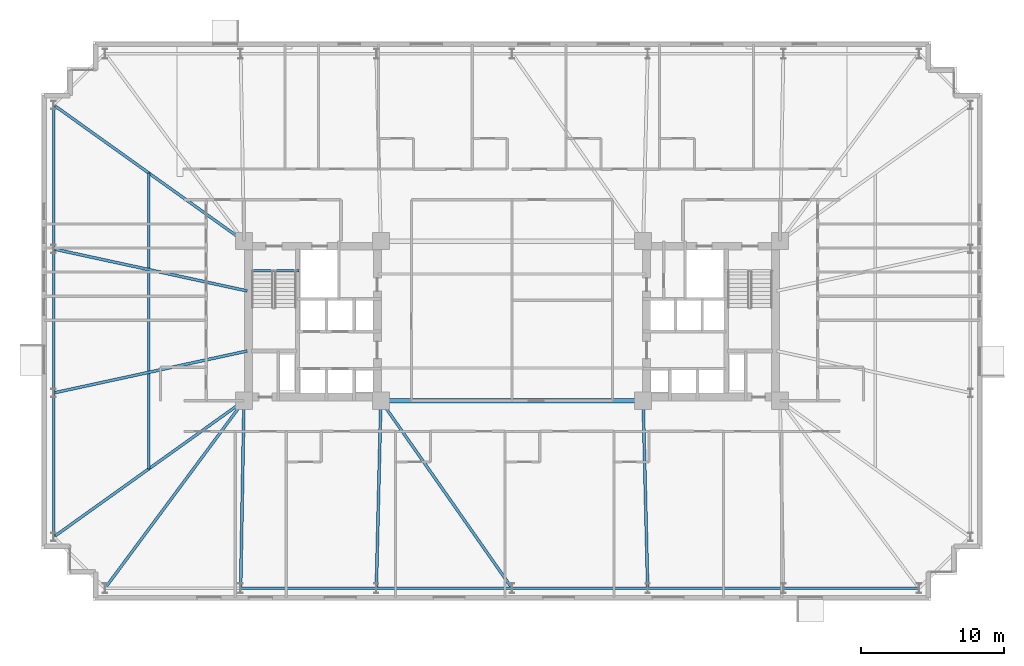
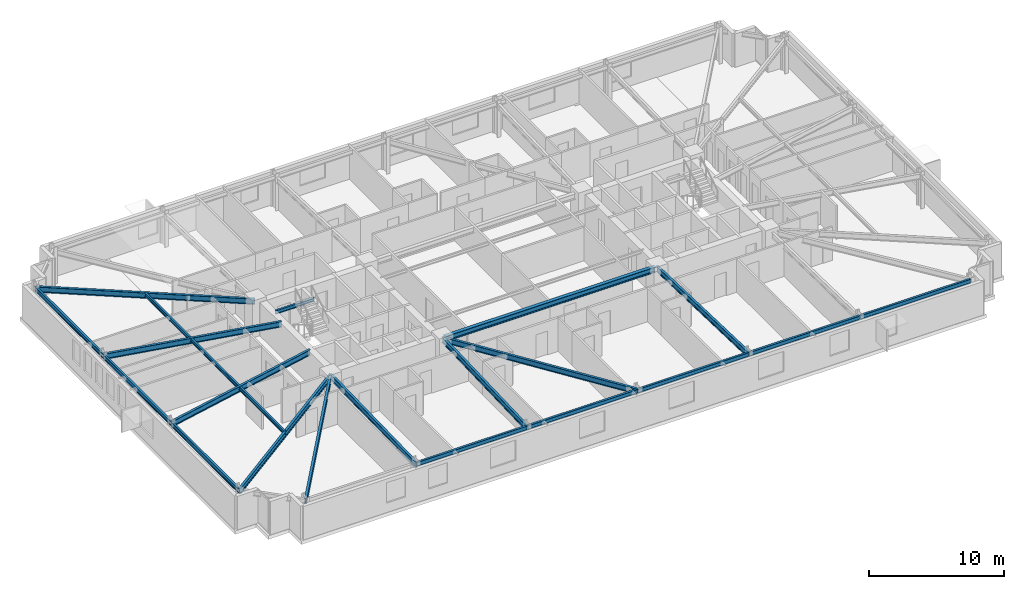
# One storey, part 5 of 22: 20 beams.
"""IFC4 building model written with IfcOpenShell, lengths in metres."""

from ifc_helpers import new_model, si_unit, direction, frame, origin, origin_2d, place, context, subcontext, project, spatial, i_section, extrude, material, material_profile, profile_set, type_object, element, save


model = new_model("IFC4")

# Units and contexts
model_context = context("Model", 3, precision=1e-05, world=origin(), true_north=direction((0.0, 1.0)))
body_context = subcontext(model_context, "Body", "Model", "MODEL_VIEW")
ifc_project = project(units=[si_unit("LENGTHUNIT", "METRE"), si_unit("AREAUNIT", "SQUARE_METRE"), si_unit("VOLUMEUNIT", "CUBIC_METRE"), si_unit("PLANEANGLEUNIT", "RADIAN"), si_unit("MASSUNIT", "GRAM", prefix="KILO")], contexts=[model_context])

# Site, building, storey
site_placement = place(None, origin())
site = spatial("IfcSite", under=ifc_project, at=site_placement, CompositionType="ELEMENT")
building_placement = place(site_placement, origin())
building = spatial("IfcBuilding", under=site, at=building_placement, Name="Qobustan Lattice House", CompositionType="ELEMENT")
storey_placement = place(building_placement, frame((0.0, 0.0, 33.699951171875)))
storey = spatial("IfcBuildingStorey", under=building, at=storey_placement, Name="L08", CompositionType="ELEMENT", Elevation=33.699951171875)

# Beams
ifc_material_1 = material(Name="Steel S355", Category="steel")
ifc_material_profile_1 = material_profile(ifc_material_1, i_section(OverallWidth=0.300048828125, OverallDepth=0.5, WebThickness=0.014404296875, FlangeThickness=0.028076171875, FilletRadius=0.027099609375, at=origin_2d()), Name="HEB500")
ifc_profile_set_1 = profile_set([ifc_material_profile_1], Name="Steel S355")
beam_type_1 = type_object("IfcBeamType", Name="BM-CG-HEB500", PredefinedType="USERDEFINED", material=ifc_profile_set_1)
beam_1_placement = place(storey_placement, frame((-9.050048828125, -5.60009765625, 2.78515625), z_axis=(1.0, 0.0, 0.0), x_axis=(0.0, 1.0, 0.0)))
element("IfcBeam", 1, at=beam_1_placement, inside=storey, type_object=beam_type_1, Name="L08 core spine girder CG-CS", ObjectType="GIRDER", PredefinedType="USERDEFINED", context=body_context, shape_type="SweptSolid", body=[
    extrude(i_section(OverallWidth=0.300048828125, OverallDepth=0.5, WebThickness=0.014404296875, FlangeThickness=0.028076171875, FilletRadius=0.027099609375, at=origin_2d()), origin(), (0.0, 0.0, 1.0), 18.10009765625),
])
ifc_material_2 = material(Name="Steel S355", Category="steel")
ifc_material_profile_2 = material_profile(ifc_material_2, i_section(OverallWidth=0.199951171875, OverallDepth=0.5, WebThickness=0.01025390625, FlangeThickness=0.01611328125, FilletRadius=0.02099609375, at=origin_2d()), Name="IPE500")
ifc_profile_set_2 = profile_set([ifc_material_profile_2], Name="Steel S355")
beam_type_2 = type_object("IfcBeamType", Name="BM-FLG-IPE500", PredefinedType="USERDEFINED", material=ifc_profile_set_2)
beam_2_placement = place(storey_placement, frame((-28.53515625, -18.72998046875, 2.78515625), z_axis=(0.5955916815, 0.803287338956, 0.0), x_axis=(-0.803287338956, 0.5955916815, 0.0)))
element("IfcBeam", 2, at=beam_2_placement, inside=storey, type_object=beam_type_2, Name="L08 primary floor girder RAD-S1W", ObjectType="GIRDER", PredefinedType="USERDEFINED", context=body_context, shape_type="SweptSolid", body=[
    extrude(i_section(OverallWidth=0.199951171875, OverallDepth=0.5, WebThickness=0.01025390625, FlangeThickness=0.01611328125, FilletRadius=0.02099609375, at=origin_2d()), origin(), (0.0, 0.0, 1.0), 16.3203125),
])
beam_3_placement = place(storey_placement, frame((-19.032958984375, -18.72509765625, 2.78515625), z_axis=(0.017757831607, 0.999842317276, 0.0), x_axis=(-0.999842317276, 0.017757831607, 0.0)))
element("IfcBeam", 3, at=beam_3_placement, inside=storey, type_object=beam_type_2, Name="L08 primary floor girder RAD-S2", ObjectType="GIRDER", PredefinedType="USERDEFINED", context=body_context, shape_type="SweptSolid", body=[
    extrude(i_section(OverallWidth=0.199951171875, OverallDepth=0.5, WebThickness=0.01025390625, FlangeThickness=0.01611328125, FilletRadius=0.02099609375, at=origin_2d()), origin(), (0.0, 0.0, 1.0), 13.10205078125),
])
beam_4_placement = place(storey_placement, frame((-9.51611328125, -18.72509765625, 2.78515625), z_axis=(0.024071445657, 0.999710240772, 0.0), x_axis=(-0.999710240772, 0.024071445657, 0.0)))
element("IfcBeam", 4, at=beam_4_placement, inside=storey, type_object=beam_type_2, Name="L08 primary floor girder RAD-S3", ObjectType="GIRDER", PredefinedType="USERDEFINED", context=body_context, shape_type="SweptSolid", body=[
    extrude(i_section(OverallWidth=0.199951171875, OverallDepth=0.5, WebThickness=0.01025390625, FlangeThickness=0.01611328125, FilletRadius=0.02099609375, at=origin_2d()), origin(), (0.0, 0.0, 1.0), 13.10400390625),
])
beam_5_placement = place(storey_placement, frame((-0.014404296875, -18.7294921875, 2.78515625), z_axis=(-0.57325954206, 0.819373844736, 0.0), x_axis=(-0.819373844736, -0.57325954206, 0.0)))
element("IfcBeam", 5, at=beam_5_placement, inside=storey, type_object=beam_type_2, Name="L08 primary floor girder RAD-S4", ObjectType="GIRDER", PredefinedType="USERDEFINED", context=body_context, shape_type="SweptSolid", body=[
    extrude(i_section(OverallWidth=0.199951171875, OverallDepth=0.5, WebThickness=0.01025390625, FlangeThickness=0.01611328125, FilletRadius=0.02099609375, at=origin_2d()), origin(), (0.0, 0.0, 1.0), 15.998779296875),
])
beam_6_placement = place(storey_placement, frame((9.51611328125, -18.72509765625, 2.78515625), z_axis=(-0.024071445657, 0.999710240772, 0.0), x_axis=(-0.999710240772, -0.024071445657, 0.0)))
element("IfcBeam", 6, at=beam_6_placement, inside=storey, type_object=beam_type_2, Name="L08 primary floor girder RAD-S5", ObjectType="GIRDER", PredefinedType="USERDEFINED", context=body_context, shape_type="SweptSolid", body=[
    extrude(i_section(OverallWidth=0.199951171875, OverallDepth=0.5, WebThickness=0.01025390625, FlangeThickness=0.01611328125, FilletRadius=0.02099609375, at=origin_2d()), origin(), (0.0, 0.0, 1.0), 13.10400390625),
])
beam_7_placement = place(storey_placement, frame((-32.129638671875, 15.135498046875, 2.78515625), z_axis=(0.813318954893, -0.581818079481, 0.0), x_axis=(0.581818079481, 0.813318954893, 0.0)))
element("IfcBeam", 7, at=beam_7_placement, inside=storey, type_object=beam_type_2, Name="L08 primary floor girder RAD-W1", ObjectType="GIRDER", PredefinedType="USERDEFINED", context=body_context, shape_type="SweptSolid", body=[
    extrude(i_section(OverallWidth=0.199951171875, OverallDepth=0.5, WebThickness=0.01025390625, FlangeThickness=0.01611328125, FilletRadius=0.02099609375, at=origin_2d()), origin(), (0.0, 0.0, 1.0), 16.3642578125),
])
for number, where, z_axis, x_axis, name in (
    (8, (-32.12548828125, 5.044677734375, 2.78515625), (0.97727240275, -0.211987383643, 0.0), (0.211987383643, 0.97727240275, 0.0), "L08 primary floor girder RAD-W2"),
    (9, (-32.12548828125, -5.044677734375, 2.78515625), (0.97727240275, 0.211987383643, 0.0), (-0.211987383643, 0.97727240275, 0.0), "L08 primary floor girder RAD-W3"),
):
    element("IfcBeam", number, at=place(storey_placement, frame(where, z_axis=z_axis, x_axis=x_axis)), inside=storey, type_object=beam_type_2, Name=name, ObjectType="GIRDER", PredefinedType="USERDEFINED", context=body_context, shape_type="SweptSolid", body=[
        extrude(i_section(OverallWidth=0.199951171875, OverallDepth=0.5, WebThickness=0.01025390625, FlangeThickness=0.01611328125, FilletRadius=0.02099609375, at=origin_2d()), origin(), (0.0, 0.0, 1.0), 13.8662109375),
    ])
beam_8_placement = place(storey_placement, frame((-32.129638671875, -15.135498046875, 2.78515625), z_axis=(0.813318954893, 0.581818079481, 0.0), x_axis=(-0.581818079481, 0.813318954893, 0.0)))
element("IfcBeam", 10, at=beam_8_placement, inside=storey, type_object=beam_type_2, Name="L08 primary floor girder RAD-W4", ObjectType="GIRDER", PredefinedType="USERDEFINED", context=body_context, shape_type="SweptSolid", body=[
    extrude(i_section(OverallWidth=0.199951171875, OverallDepth=0.5, WebThickness=0.01025390625, FlangeThickness=0.01611328125, FilletRadius=0.02099609375, at=origin_2d()), origin(), (0.0, 0.0, 1.0), 16.3642578125),
])
ifc_material_3 = material(Name="Steel S355", Category="steel")
ifc_material_profile_3 = material_profile(ifc_material_3, i_section(OverallWidth=0.159912109375, OverallDepth=0.330078125, WebThickness=0.007568359375, FlangeThickness=0.011474609375, FilletRadius=0.01806640625, at=origin_2d()), Name="IPE330")
ifc_profile_set_3 = profile_set([ifc_material_profile_3], Name="Steel S355")
beam_type_3 = type_object("IfcBeamType", Name="BM-SEC-IPE330", PredefinedType="BEAM", material=ifc_profile_set_3)
beam_9_placement = place(storey_placement, frame((-25.47509765625, 10.375, 2.8701171875), z_axis=(0.0, -1.0, 0.0), x_axis=(1.0, 0.0, 0.0)))
element("IfcBeam", 11, at=beam_9_placement, inside=storey, type_object=beam_type_3, Name="L08 west wing secondary beam", PredefinedType="BEAM", context=body_context, shape_type="SweptSolid", body=[
    extrude(i_section(OverallWidth=0.159912109375, OverallDepth=0.330078125, WebThickness=0.007568359375, FlangeThickness=0.011474609375, FilletRadius=0.01806640625, at=origin_2d()), origin(), (0.0, 0.0, 1.0), 20.75),
])
ifc_material_4 = material(Name="Steel S355", Category="steel")
ifc_material_profile_4 = material_profile(ifc_material_4, i_section(OverallWidth=0.159912109375, OverallDepth=0.330078125, WebThickness=0.007568359375, FlangeThickness=0.011474609375, FilletRadius=0.01806640625, at=origin_2d()), Name="IPE330")
ifc_profile_set_4 = profile_set([ifc_material_profile_4], Name="Steel S355")
beam_type_4 = type_object("IfcBeamType", Name="BM-SPD-IPE330", PredefinedType="SPANDREL", material=ifc_profile_set_4)
beam_10_placement = place(storey_placement, frame((-18.300048828125, 3.52001953125, 2.8701171875), z_axis=(1.0, 0.0, 0.0), x_axis=(0.0, 1.0, 0.0)))
element("IfcBeam", 12, at=beam_10_placement, inside=storey, type_object=beam_type_4, Name="L08 west stair landing trimmer beam", PredefinedType="SPANDREL", context=body_context, shape_type="SweptSolid", body=[
    extrude(i_section(OverallWidth=0.159912109375, OverallDepth=0.330078125, WebThickness=0.007568359375, FlangeThickness=0.011474609375, FilletRadius=0.01806640625, at=origin_2d()), origin(), (0.0, 0.0, 1.0), 3.35009765625),
])
ifc_material_5 = material(Name="Steel S355", Category="steel")
ifc_material_profile_5 = material_profile(ifc_material_5, i_section(OverallWidth=0.179931640625, OverallDepth=0.39990234375, WebThickness=0.008544921875, FlangeThickness=0.013427734375, FilletRadius=0.02099609375, at=origin_2d()), Name="IPE400")
ifc_profile_set_5 = profile_set([ifc_material_profile_5], Name="Steel S355")
beam_type_5 = type_object("IfcBeamType", Name="BM-SPD-IPE400", PredefinedType="SPANDREL", material=ifc_profile_set_5)
beam_11_placement = place(storey_placement, frame((-19.00830078125, -18.75, 2.8349609375), z_axis=(1.0, 0.0, 0.0), x_axis=(0.0, 1.0, 0.0)))
element("IfcBeam", 13, at=beam_11_placement, inside=storey, type_object=beam_type_5, Name="L08 perimeter spandrel S2-S3", PredefinedType="SPANDREL", context=body_context, shape_type="SweptSolid", body=[
    extrude(i_section(OverallWidth=0.179931640625, OverallDepth=0.39990234375, WebThickness=0.008544921875, FlangeThickness=0.013427734375, FilletRadius=0.02099609375, at=origin_2d()), origin(), (0.0, 0.0, 1.0), 9.466552734375),
])
for number, where, z_axis, x_axis, name in (
    (14, (-9.49169921875, -18.75, 2.8349609375), (1.0, 0.0, 0.0), (0.0, 1.0, 0.0), "L08 perimeter spandrel S3-S4"),
    (15, (0.02490234375, -18.75, 2.8349609375), (1.0, 0.0, 0.0), (0.0, 1.0, 0.0), "L08 perimeter spandrel S4-S5"),
):
    element("IfcBeam", number, at=place(storey_placement, frame(where, z_axis=z_axis, x_axis=x_axis)), inside=storey, type_object=beam_type_5, Name=name, PredefinedType="SPANDREL", context=body_context, shape_type="SweptSolid", body=[
        extrude(i_section(OverallWidth=0.179931640625, OverallDepth=0.39990234375, WebThickness=0.008544921875, FlangeThickness=0.013427734375, FilletRadius=0.02099609375, at=origin_2d()), origin(), (0.0, 0.0, 1.0), 9.466796875),
    ])
for number, where, z_axis, x_axis, name in (
    (16, (9.541748046875, -18.75, 2.8349609375), (1.0, 0.0, 0.0), (0.0, 1.0, 0.0), "L08 perimeter spandrel S5-S6"),
    (17, (19.058349609375, -18.75, 2.8349609375), (1.0, 0.0, 0.0), (0.0, 1.0, 0.0), "L08 perimeter spandrel S6-S7"),
):
    element("IfcBeam", number, at=place(storey_placement, frame(where, z_axis=z_axis, x_axis=x_axis)), inside=storey, type_object=beam_type_5, Name=name, PredefinedType="SPANDREL", context=body_context, shape_type="SweptSolid", body=[
        extrude(i_section(OverallWidth=0.179931640625, OverallDepth=0.39990234375, WebThickness=0.008544921875, FlangeThickness=0.013427734375, FilletRadius=0.02099609375, at=origin_2d()), origin(), (0.0, 0.0, 1.0), 9.466552734375),
    ])
beam_12_placement = place(storey_placement, frame((-32.14990234375, 15.125, 2.8349609375), z_axis=(0.0, -1.0, 0.0), x_axis=(1.0, 0.0, 0.0)))
element("IfcBeam", 18, at=beam_12_placement, inside=storey, type_object=beam_type_5, Name="L08 perimeter spandrel W1-W2", PredefinedType="SPANDREL", context=body_context, shape_type="SweptSolid", body=[
    extrude(i_section(OverallWidth=0.179931640625, OverallDepth=0.39990234375, WebThickness=0.008544921875, FlangeThickness=0.013427734375, FilletRadius=0.02099609375, at=origin_2d()), origin(), (0.0, 0.0, 1.0), 10.050048828125),
])
beam_13_placement = place(storey_placement, frame((-32.14990234375, 5.02490234375, 2.8349609375), z_axis=(0.0, -1.0, 0.0), x_axis=(1.0, 0.0, 0.0)))
element("IfcBeam", 19, at=beam_13_placement, inside=storey, type_object=beam_type_5, Name="L08 perimeter spandrel W2-W3", PredefinedType="SPANDREL", context=body_context, shape_type="SweptSolid", body=[
    extrude(i_section(OverallWidth=0.179931640625, OverallDepth=0.39990234375, WebThickness=0.008544921875, FlangeThickness=0.013427734375, FilletRadius=0.02099609375, at=origin_2d()), origin(), (0.0, 0.0, 1.0), 10.0498046875),
])
beam_14_placement = place(storey_placement, frame((-32.14990234375, -5.074951171875, 2.8349609375), z_axis=(0.0, -1.0, 0.0), x_axis=(1.0, 0.0, 0.0)))
element("IfcBeam", 20, at=beam_14_placement, inside=storey, type_object=beam_type_5, Name="L08 perimeter spandrel W3-W4", PredefinedType="SPANDREL", context=body_context, shape_type="SweptSolid", body=[
    extrude(i_section(OverallWidth=0.179931640625, OverallDepth=0.39990234375, WebThickness=0.008544921875, FlangeThickness=0.013427734375, FilletRadius=0.02099609375, at=origin_2d()), origin(), (0.0, 0.0, 1.0), 10.050048828125),
])

save(model, "model.ifc")
